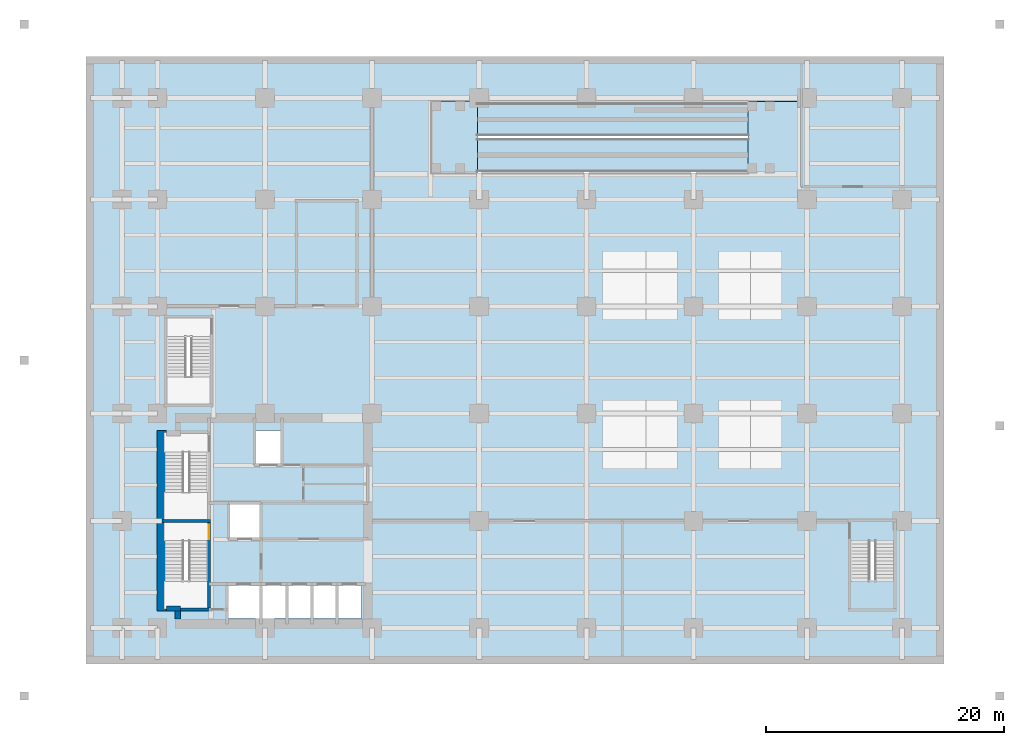
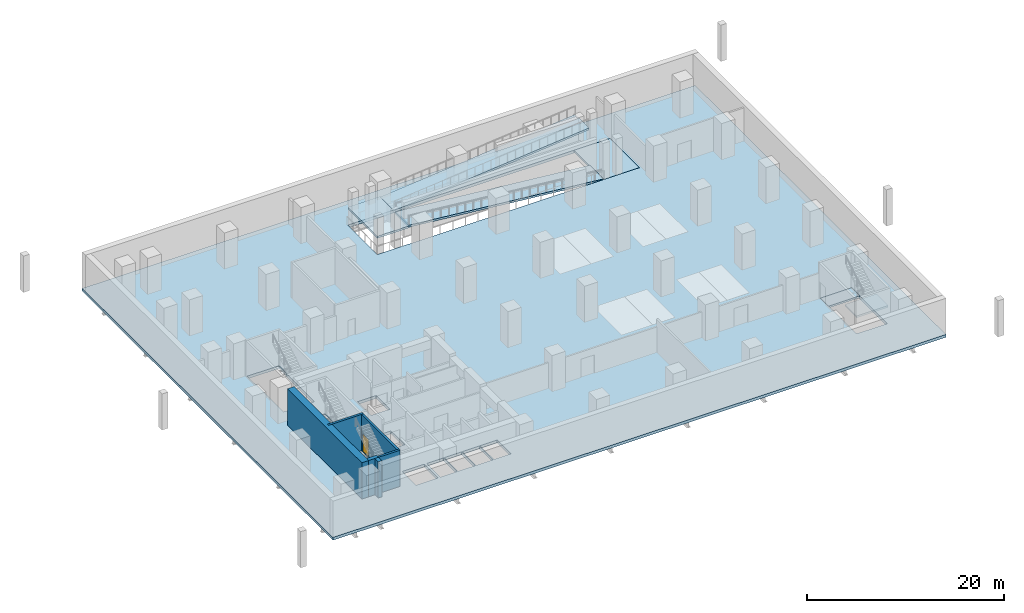
# One storey, part 4 of 10: 7 slabs, 6 walls, 1 door, 1 opening, 1 element without a shape of its own.
"""IFC4 building model written with IfcOpenShell, lengths in metres."""

from ifc_helpers import new_model, si_unit, direction, frame, frame_2d, origin, place, context, subcontext, project, spatial, polyline, rectangle, outline, extrude, material, layer, layer_set, type_object, element, fill, aggregate, save


model = new_model("IFC4")

# Units and contexts
model_context = context("Model", 3, precision=1e-05, world=origin(), true_north=direction((0.0, 1.0)))
body_context = subcontext(model_context, "Body", "Model", "MODEL_VIEW")
ifc_project = project(units=[si_unit("LENGTHUNIT", "METRE"), si_unit("AREAUNIT", "SQUARE_METRE"), si_unit("VOLUMEUNIT", "CUBIC_METRE"), si_unit("PLANEANGLEUNIT", "RADIAN"), si_unit("MASSUNIT", "GRAM", prefix="KILO")], contexts=[model_context])

# Site, building, storey
site_placement = place(None, origin())
site = spatial("IfcSite", under=ifc_project, at=site_placement, CompositionType="ELEMENT")
building_placement = place(site_placement, origin())
building = spatial("IfcBuilding", under=site, at=building_placement, Name="Mawjdan Bourse Tower", CompositionType="ELEMENT")
storey_placement = place(building_placement, frame((0.0, 0.0, -9.0)))
storey = spatial("IfcBuildingStorey", under=building, at=storey_placement, Name="B02", CompositionType="ELEMENT", Elevation=-9.0)

# Slabs
ifc_material_1 = material(Name="Reinforced Concrete C50/60", Category="concrete")
ifc_layer_1 = layer(ifc_material_1, 0.25)
ifc_layer_set_1 = layer_set([ifc_layer_1], Name="Reinforced Concrete C50/60")
slab_type_1 = type_object("IfcSlabType", Name="SL-BSM-250", PredefinedType="FLOOR", material=ifc_layer_set_1)
slab_1_placement = place(storey_placement, frame((55.64990234375, 41.300048828125, 0.0), z_axis=(0.097782840335, 0.0, 0.99520777536), x_axis=(-0.99520777536, 0.0, 0.097782840335)))
element("IfcSlab", 1, at=slab_1_placement, inside=storey, type_object=slab_type_1, Name="B02 Vehicle Ramp Flight 1", PredefinedType="FLOOR", context=body_context, shape_type="SweptSolid", body=[
    extrude(outline(polyline([(0.0, 0.0), (23.01017225822716, 0.0), (23.01017225822716, -2.8000488281250004), (0.0, -2.8000488281250004), (0.0, 0.0)])), origin(), (0.0, 0.0, -1.0), 0.25),
])
slab_2_placement = place(storey_placement, frame((32.75, 44.300048828125, 2.25), z_axis=(-0.097782840335, 0.0, 0.99520777536), x_axis=(0.99520777536, 0.0, 0.097782840335)))
element("IfcSlab", 2, at=slab_2_placement, inside=storey, type_object=slab_type_1, Name="B02 Vehicle Ramp Flight 2", PredefinedType="FLOOR", context=body_context, shape_type="SweptSolid", body=[
    extrude(outline(polyline([(0.0, 0.0), (23.01017225822716, 0.0), (23.01017225822716, 2.8000488281250004), (0.0, 2.8000488281250004), (0.0, 0.0)])), origin(), (0.0, 0.0, -1.0), 0.25),
])
ifc_material_2 = material(Name="Concrete C50/60", Category="concrete")
ifc_layer_2 = layer(ifc_material_2, 0.35009765625)
ifc_layer_set_2 = layer_set([ifc_layer_2], Name="Concrete C50/60")
slab_type_2 = type_object("IfcSlabType", Name="SL-BSM-350", PredefinedType="FLOOR", material=ifc_layer_set_2)
slab_3_placement = place(storey_placement, frame((0.0, 0.0, -0.35009765625)))
element("IfcSlab", 3, at=slab_3_placement, inside=storey, type_object=slab_type_2, Name="B02 Structural Floor Slab 1", PredefinedType="FLOOR", context=body_context, shape_type="SweptSolid", body=[
    extrude(outline(polyline([(0.0, 0.0), (72.0, 0.0), (72.0, 51.0), (0.0, 51.0), (0.0, 0.0)]), holes=[polyline([(11.949951171875, 3.800048828125), (11.949951171875, 6.60009765625), (14.550048828125, 6.60009765625), (14.550048828125, 3.800048828125), (11.949951171875, 3.800048828125)]), polyline([(6.60009765625, 10.31005859375), (6.5400390625, 10.31005859375), (6.5400390625, 11.969970703125), (10.260009765625, 11.969970703125), (10.260009765625, 10.31005859375), (10.199951171875, 10.31005859375), (10.199951171875, 4.64990234375), (6.60009765625, 4.64990234375), (6.60009765625, 10.31005859375)]), polyline([(12.050048828125, 10.60009765625), (12.050048828125, 13.39990234375), (14.550048828125, 13.39990234375), (14.550048828125, 10.60009765625), (12.050048828125, 10.60009765625)]), polyline([(10.260009765625, 19.409912109375), (10.260009765625, 17.75), (10.199951171875, 17.75), (10.199951171875, 12.090087890625), (6.60009765625, 12.090087890625), (6.60009765625, 17.75), (6.5400390625, 17.75), (6.5400390625, 19.409912109375), (10.260009765625, 19.409912109375)]), polyline([(10.4599609375, 29.1201171875), (10.4599609375, 27.4599609375), (10.39990234375, 27.4599609375), (10.39990234375, 21.800048828125), (6.800048828125, 21.800048828125), (6.800048828125, 27.4599609375), (6.739990234375, 27.4599609375), (6.739990234375, 29.1201171875), (10.4599609375, 29.1201171875)]), polyline([(14.800048828125, 3.800048828125), (14.800048828125, 6.60009765625), (16.800048828125, 6.60009765625), (16.800048828125, 3.800048828125), (14.800048828125, 3.800048828125)]), polyline([(16.89990234375, 3.800048828125), (16.89990234375, 6.60009765625), (18.89990234375, 6.60009765625), (18.89990234375, 3.800048828125), (16.89990234375, 3.800048828125)]), polyline([(19.0, 3.800048828125), (19.0, 6.60009765625), (21.0, 6.60009765625), (21.0, 3.800048828125), (19.0, 3.800048828125)]), polyline([(21.10009765625, 3.800048828125), (21.10009765625, 6.60009765625), (23.10009765625, 6.60009765625), (23.10009765625, 3.800048828125), (21.10009765625, 3.800048828125)]), polyline([(67.860107421875, 11.969970703125), (67.860107421875, 10.31005859375), (67.800048828125, 10.31005859375), (67.800048828125, 4.64990234375), (64.199951171875, 4.64990234375), (64.199951171875, 10.31005859375), (64.139892578125, 10.31005859375), (64.139892578125, 11.969970703125), (67.860107421875, 11.969970703125)]), polyline([(14.199951171875, 16.800048828125), (14.199951171875, 19.60009765625), (16.39990234375, 19.60009765625), (16.39990234375, 16.800048828125), (14.199951171875, 16.800048828125)]), polyline([(29.0, 41.199951171875), (29.0, 47.199951171875), (59.800048828125, 47.199951171875), (59.800048828125, 41.199951171875), (29.0, 41.199951171875)])]), origin(), (0.0, 0.0, 1.0), 0.35009765625),
])

# Stair, slabs
stair_type = type_object("IfcStairType", Name="STR-CORE-1500", PredefinedType="HALF_TURN_STAIR", material=ifc_material_2)
stair_placement = place(storey_placement, origin())
stair = element("IfcStair", 4, at=stair_placement, inside=storey, type_object=stair_type, Name="B02 Exit Stair 6 (East Podium Pier)", PredefinedType="HALF_TURN_STAIR")
ifc_layer_3 = layer(ifc_material_2, 0.22998046875)
ifc_layer_set_3 = layer_set([ifc_layer_3], Name="Concrete C50/60")
slab_type_3 = type_object("IfcSlabType", Name="SL-LND-230", PredefinedType="LANDING", material=ifc_layer_set_3)
slab_4_placement = place(storey_placement, frame((0.0, 0.0, -0.22998046875)))
slab_4 = element("IfcSlab", 5, at=slab_4_placement, type_object=slab_type_3, Name="ST6-B02 landing 1", PredefinedType="LANDING", context=body_context, shape_type="SweptSolid", body=[
    extrude(outline(polyline([(64.139892578125, 10.31005859375), (67.860107421875, 10.31005859375), (67.860107421875, 11.969970703125), (64.139892578125, 11.969970703125), (64.139892578125, 10.31005859375)])), origin(), (0.0, 0.0, 1.0), 0.22998046875),
])
slab_5_placement = place(storey_placement, frame((0.0, 0.0, 2.02001953125)))
slab_5 = element("IfcSlab", 6, at=slab_5_placement, type_object=slab_type_3, Name="ST6-B02 landing 2", PredefinedType="LANDING", context=body_context, shape_type="SweptSolid", body=[
    extrude(outline(polyline([(64.139892578125, 4.590087890625), (67.860107421875, 4.590087890625), (67.860107421875, 6.969970703125), (64.139892578125, 6.969970703125), (64.139892578125, 4.590087890625)])), origin(), (0.0, 0.0, 1.0), 0.22998046875),
])
aggregate(stair, [slab_4, slab_5])

# Slabs
slab_6_placement = place(storey_placement, frame((0.0, 0.0, -0.25)))
element("IfcSlab", 7, at=slab_6_placement, inside=storey, type_object=slab_type_3, Name="B02 Vehicle Ramp Arrival Apron", PredefinedType="LANDING", context=body_context, shape_type="SweptSolid", body=[
    extrude(outline(polyline([(55.550048828125, 41.199951171875), (59.800048828125, 41.199951171875), (59.800048828125, 47.199951171875), (55.550048828125, 47.199951171875), (55.550048828125, 41.199951171875)])), origin(), (0.0, 0.0, 1.0), 0.25),
])
slab_7_placement = place(storey_placement, frame((0.0, 0.0, 2.0)))
element("IfcSlab", 8, at=slab_7_placement, inside=storey, type_object=slab_type_3, Name="B02 Vehicle Ramp Half-Landing", PredefinedType="LANDING", context=body_context, shape_type="SweptSolid", body=[
    extrude(outline(polyline([(29.0, 41.199951171875), (32.85009765625, 41.199951171875), (32.85009765625, 47.199951171875), (29.0, 47.199951171875), (29.0, 41.199951171875)])), origin(), (0.0, 0.0, 1.0), 0.25),
])

# Walls
ifc_material_3 = material(Name="Concrete C60/75", Category="concrete")
ifc_layer_4 = layer(ifc_material_3, 0.449951171875)
ifc_layer_set_4 = layer_set([ifc_layer_4], Name="Concrete C60/75")
wall_type_1 = type_object("IfcWallType", Name="WL-CORE-450", PredefinedType="SHEAR", material=ifc_layer_set_4)
wall_1_placement = place(storey_placement, frame((6.75, 4.64990234375, 0.0), z_axis=(0.0, 0.0, 1.0), x_axis=(1.0, 0.0, 0.0)))
element("IfcWall", 9, at=wall_1_placement, inside=storey, type_object=wall_type_1, Name="B02 Rear Core Shear Wall SW-X", PredefinedType="SHEAR", context=body_context, shape_type="SweptSolid", body=[
    extrude(rectangle(XDim=1.175048828125, YDim=0.449951171875, at=frame_2d((0.58740234375, 0.0))), origin(), (0.0, 0.0, 1.0), 4.5),
])
wall_2_placement = place(storey_placement, frame((7.699951171875, 3.75, 0.0), z_axis=(0.0, 0.0, 1.0), x_axis=(0.0, 1.0, 0.0)))
element("IfcWall", 10, at=wall_2_placement, inside=storey, type_object=wall_type_1, Name="B02 Rear Core Shear Wall SW-Y", PredefinedType="SHEAR", context=body_context, shape_type="SweptSolid", body=[
    extrude(rectangle(XDim=0.675048828125, YDim=0.449951171875, at=frame_2d((0.33740234375, 0.0))), origin(), (0.0, 0.0, 1.0), 4.5),
])
ifc_material_4 = material(Name="Concrete C80/95", Category="concrete")
ifc_layer_5 = layer(ifc_material_4, 0.800048828125)
ifc_layer_set_5 = layer_set([ifc_layer_5], Name="Concrete C80/95")
wall_type_2 = type_object("IfcWallType", Name="WL-CORE-800", PredefinedType="SHEAR", material=ifc_layer_set_5)
wall_3_placement = place(storey_placement, frame((6.35009765625, 4.425048828125, 0.0), z_axis=(0.0, 0.0, 1.0), x_axis=(0.0, 1.0, 0.0)))
element("IfcWall", 11, at=wall_3_placement, inside=storey, type_object=wall_type_2, Name="B02 Rear Core Shear Wall W", PredefinedType="SHEAR", context=body_context, shape_type="SweptSolid", body=[
    extrude(rectangle(XDim=15.14990234375, YDim=0.800048828125, at=frame_2d((7.574951171875, 0.0))), origin(), (0.0, 0.0, 1.0), 4.5),
])
ifc_layer_6 = layer(ifc_material_2, 0.25)
ifc_layer_set_6 = layer_set([ifc_layer_6], Name="Concrete C50/60")
wall_type_3 = type_object("IfcWallType", Name="WL-STRW-250", PredefinedType="SHEAR", material=ifc_layer_set_6)
wall_4_placement = place(storey_placement, frame((6.35009765625, 12.0, 0.0), z_axis=(0.0, 0.0, 1.0), x_axis=(1.0, 0.0, 0.0)))
element("IfcWall", 12, at=wall_4_placement, inside=storey, type_object=wall_type_3, Name="B02 Stairwell Dividing Shaft Wall", PredefinedType="SHEAR", context=body_context, shape_type="SweptSolid", body=[
    extrude(rectangle(XDim=4.10498046875, YDim=0.25, at=frame_2d((2.052490234375, 0.0))), origin(), (0.0, 0.0, 1.0), 4.5),
])
wall_5_placement = place(storey_placement, frame((7.699951171875, 4.550048828125, 0.0), z_axis=(0.0, 0.0, 1.0), x_axis=(1.0, 0.0, 0.0)))
element("IfcWall", 13, at=wall_5_placement, inside=storey, type_object=wall_type_3, Name="B02 Stairwell ST1 South Shaft Wall", PredefinedType="SHEAR", context=body_context, shape_type="SweptSolid", body=[
    extrude(rectangle(XDim=2.755126953125, YDim=0.25, at=frame_2d((1.37744140625, 0.0))), origin(), (0.0, 0.0, 1.0), 4.5),
])

# Wall, opening, door
wall_6_placement = place(storey_placement, frame((10.330078125, 4.550048828125, 0.0), z_axis=(0.0, 0.0, 1.0), x_axis=(0.0, 1.0, 0.0)))
wall_6 = element("IfcWall", 14, at=wall_6_placement, inside=storey, type_object=wall_type_3, Name="B02 Stairwell ST1 East Enclosure Wall", PredefinedType="SHEAR", context=body_context, shape_type="SweptSolid", body=[
    extrude(rectangle(XDim=7.449951171875, YDim=0.25, at=frame_2d((3.72509765625, 0.0))), origin(), (0.0, 0.0, 1.0), 4.5),
])
opening_placement = place(wall_6_placement, frame((5.89990234375, 0.0, 0.0)))
opening = element("IfcOpeningElement", 15, at=opening_placement, cuts=wall_6, Name="Opening SD-B02-01", PredefinedType="OPENING", context=body_context, shape_type="SweptSolid", body=[
    extrude(rectangle(XDim=1.25, YDim=2.199951171875, at=frame_2d((0.625, 1.10009765625))), frame((0.0, 0.135009765625, 0.0), z_axis=(0.0, -1.0, 0.0), x_axis=(1.0, 0.0, 0.0)), (0.0, 0.0, 1.0), 0.27001953125),
])
ifc_material_5 = material(Name="Fire-Rated Steel Leaf", Category="steel")
door_type = type_object("IfcDoorType", Name="FD-ST-1250", OperationType="NOTDEFINED", PredefinedType="DOOR", material=ifc_material_5)
door_placement = place(opening_placement, origin())
door = element("IfcDoor", 16, at=door_placement, inside=storey, type_object=door_type, Name="B02 Exit Stair ST1 Fire Door SD-B02-01", OperationType="SINGLE_SWING_LEFT", OverallHeight=2.199951171875, OverallWidth=1.25, PredefinedType="DOOR", context=body_context, shape_type="SweptSolid", body=[
    extrude(rectangle(XDim=1.25, YDim=2.199951171875, at=frame_2d((0.625, 1.10009765625))), frame((0.0, 0.02490234375, 0.0), z_axis=(0.0, -1.0, 0.0), x_axis=(1.0, 0.0, 0.0)), (0.0, 0.0, 1.0), 0.050048828125),
])
fill(opening, door)

save(model, "model.ifc")
